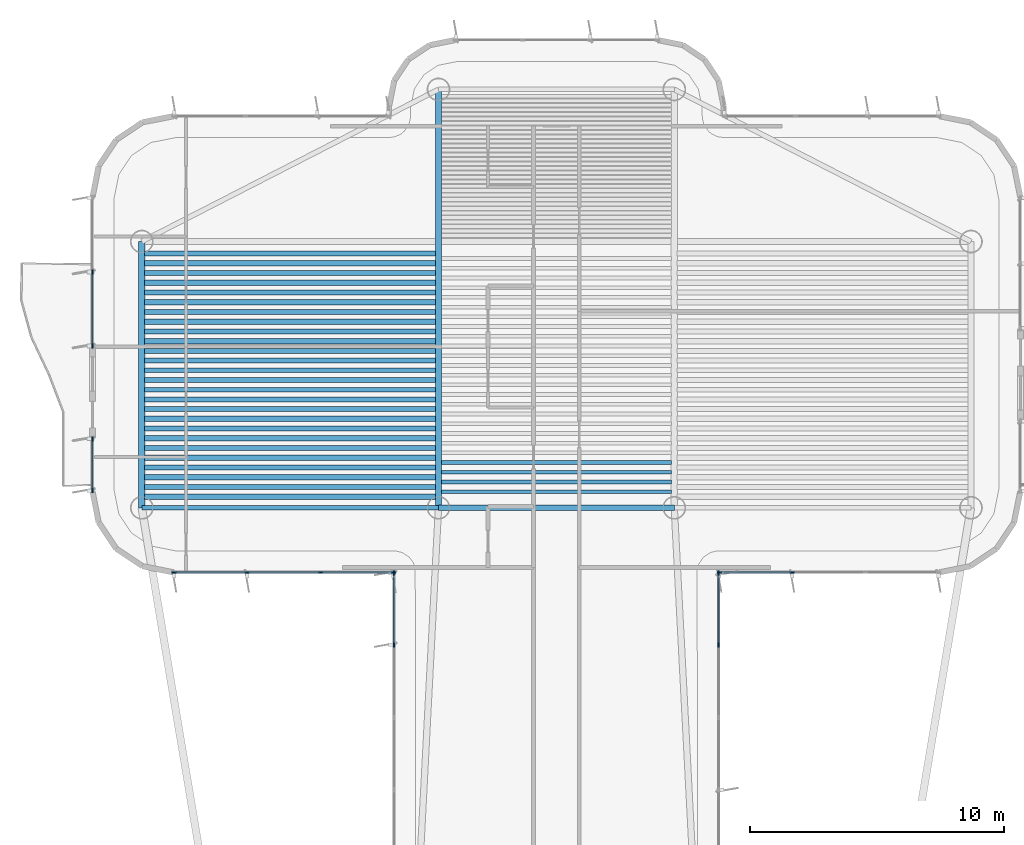
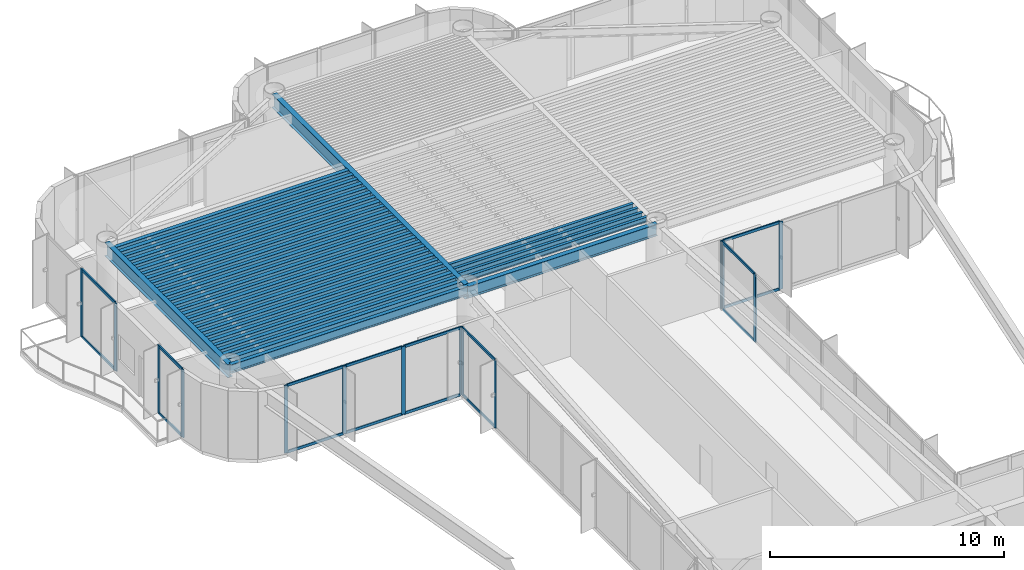
# One storey, part 5 of 15: 34 beams, 30 members, 6 elements without a shape of their own.
"""IFC4 building model written with IfcOpenShell, lengths in metres."""

from ifc_helpers import new_model, si_unit, direction, frame, origin, origin_2d, place, context, subcontext, project, spatial, rectangle, i_section, extrude, source, transform, mapped, material, layer, layer_set, material_profile, profile_set, type_object, element, aggregate, save


model = new_model("IFC4")

# Units and contexts
model_context = context("Model", 3, precision=1e-05, world=origin(), true_north=direction((0.0, 1.0)))
body_context = subcontext(model_context, "Body", "Model", "MODEL_VIEW")
ifc_project = project(units=[si_unit("LENGTHUNIT", "METRE"), si_unit("AREAUNIT", "SQUARE_METRE"), si_unit("VOLUMEUNIT", "CUBIC_METRE"), si_unit("PLANEANGLEUNIT", "RADIAN"), si_unit("MASSUNIT", "GRAM", prefix="KILO")], contexts=[model_context])

# Site, building, storey
site_placement = place(None, origin())
site = spatial("IfcSite", under=ifc_project, at=site_placement, CompositionType="ELEMENT")
building_placement = place(site_placement, origin())
building = spatial("IfcBuilding", under=site, at=building_placement, Name="Brelvock Crest Care Tower", CompositionType="ELEMENT")
storey_placement = place(building_placement, frame((0.0, 0.0, 279.719970703125)))
storey = spatial("IfcBuildingStorey", under=building, at=storey_placement, Name="L71", CompositionType="ELEMENT", Elevation=279.719970703125)

# Beams
ifc_material_1 = material(Name="Steel Grade 350", Category="steel")
ifc_material_profile_1 = material_profile(ifc_material_1, i_section(OverallWidth=0.25, OverallDepth=0.699951171875, WebThickness=0.011962890625, FlangeThickness=0.02001953125, at=origin_2d()), Name="700WB150")
ifc_profile_set_1 = profile_set([ifc_material_profile_1], Name="Steel Grade 350")
beam_type_1 = type_object("IfcBeamType", Name="BM-G4", PredefinedType="BEAM", material=ifc_profile_set_1)
shared_shape_1 = source(origin(), body_context, "Body", "SweptSolid", [
    extrude(i_section(OverallWidth=0.25, OverallDepth=0.699951171875, WebThickness=0.011962890625, FlangeThickness=0.02001953125, at=origin_2d()), origin(), (0.0, 0.0, 1.0), 10.5),
])
beam_1_placement = place(storey_placement, frame((19.64990234375, 43.949951171875, 3.179931640625), z_axis=(0.0, 1.0, 0.0), x_axis=(-1.0, 0.0, 0.0)))
element("IfcBeam", 1, at=beam_1_placement, inside=storey, type_object=beam_type_1, Name="BM-TWR-L71-01", PredefinedType="BEAM", context=body_context, shape_type="MappedRepresentation", body=[
    mapped(shared_shape_1, transform((0.0, 0.0, 0.0), x_axis=(1.0, 0.0, 0.0), y_axis=(0.0, 1.0, 0.0), z_axis=(0.0, 0.0, 1.0), scale=1.0)),
])
ifc_material_profile_2 = material_profile(ifc_material_1, i_section(OverallWidth=0.22900390625, OverallDepth=0.612060546875, WebThickness=0.011962890625, FlangeThickness=0.01953125, FilletRadius=0.013916015625, at=origin_2d()), Name="610UB125")
ifc_profile_set_2 = profile_set([ifc_material_profile_2], Name="Steel Grade 350")
beam_type_2 = type_object("IfcBeamType", Name="BM-G1", PredefinedType="BEAM", material=ifc_profile_set_2)
shared_shape_2 = source(origin(), body_context, "Body", "SweptSolid", [
    extrude(i_section(OverallWidth=0.22900390625, OverallDepth=0.612060546875, WebThickness=0.011962890625, FlangeThickness=0.01953125, FilletRadius=0.013916015625, at=origin_2d()), origin(), (0.0, 0.0, 1.0), 9.2998046875),
])
beam_2_placement = place(storey_placement, frame((31.35009765625, 43.949951171875, 3.22412109375), z_axis=(1.0, 0.0, 0.0), x_axis=(0.0, 1.0, 0.0)))
element("IfcBeam", 2, at=beam_2_placement, inside=storey, type_object=beam_type_2, Name="BM-TWR-L71-05", PredefinedType="BEAM", context=body_context, shape_type="MappedRepresentation", body=[
    mapped(shared_shape_2, transform((0.0, 0.0, 0.0), x_axis=(1.0, 0.0, 0.0), y_axis=(0.0, 1.0, 0.0), z_axis=(0.0, 0.0, 1.0), scale=1.0)),
])
ifc_material_profile_3 = material_profile(ifc_material_1, i_section(OverallWidth=0.14599609375, OverallDepth=0.256103515625, WebThickness=0.00634765625, FlangeThickness=0.010986328125, FilletRadius=0.0087890625, at=origin_2d()), Name="250UB37.3")
ifc_profile_set_3 = profile_set([ifc_material_profile_3], Name="Steel Grade 350")
beam_type_3 = type_object("IfcBeamType", Name="BM-J3", PredefinedType="JOIST", material=ifc_profile_set_3)
shared_shape_3 = source(origin(), body_context, "Body", "SweptSolid", [
    extrude(i_section(OverallWidth=0.14599609375, OverallDepth=0.256103515625, WebThickness=0.00634765625, FlangeThickness=0.010986328125, FilletRadius=0.0087890625, at=origin_2d()), origin(), (0.0, 0.0, 1.0), 9.06982421875),
])
for number, where, z_axis, x_axis, name in (
    (3, (31.465087890625, 44.58251953125, 3.402099609375), (1.0, 0.0, 0.0), (0.0, 1.0, 0.0), "BM-JH-L71-1"),
    (4, (31.465087890625, 44.9658203125, 3.402099609375), (1.0, 0.0, 0.0), (0.0, 1.0, 0.0), "BM-JH-L71-2"),
    (5, (31.465087890625, 45.34912109375, 3.402099609375), (1.0, 0.0, 0.0), (0.0, 1.0, 0.0), "BM-JH-L71-3"),
    (6, (31.465087890625, 45.732421875, 3.402099609375), (1.0, 0.0, 0.0), (0.0, 1.0, 0.0), "BM-JH-L71-4"),
):
    element("IfcBeam", number, at=place(storey_placement, frame(where, z_axis=z_axis, x_axis=x_axis)), inside=storey, type_object=beam_type_3, Name=name, PredefinedType="JOIST", context=body_context, shape_type="MappedRepresentation", body=[
        mapped(shared_shape_3, transform((0.0, 0.0, 0.0), x_axis=(1.0, 0.0, 0.0), y_axis=(0.0, 1.0, 0.0), z_axis=(0.0, 0.0, 1.0), scale=1.0)),
    ])
ifc_material_profile_4 = material_profile(ifc_material_1, i_section(OverallWidth=0.19091796875, OverallDepth=0.4599609375, WebThickness=0.010009765625, FlangeThickness=0.01611328125, FilletRadius=0.011474609375, at=origin_2d()), Name="460UB82.1")
ifc_profile_set_4 = profile_set([ifc_material_profile_4], Name="Steel Grade 350")
beam_type_4 = type_object("IfcBeamType", Name="BM-G3", PredefinedType="BEAM", material=ifc_profile_set_4)
shared_shape_4 = source(origin(), body_context, "Body", "SweptSolid", [
    extrude(i_section(OverallWidth=0.19091796875, OverallDepth=0.4599609375, WebThickness=0.010009765625, FlangeThickness=0.01611328125, FilletRadius=0.011474609375, at=origin_2d()), origin(), (0.0, 0.0, 1.0), 11.47021484375),
])
for number, where, z_axis, x_axis, name in (
    (7, (19.764892578125, 44.7744140625, 3.300048828125), (1.0, 0.0, 0.0), (0.0, 1.0, 0.0), "BM-JW-L71-2"),
    (8, (19.764892578125, 45.540771484375, 3.300048828125), (1.0, 0.0, 0.0), (0.0, 1.0, 0.0), "BM-JW-L71-4"),
    (9, (19.764892578125, 46.307373046875, 3.300048828125), (1.0, 0.0, 0.0), (0.0, 1.0, 0.0), "BM-JW-L71-6"),
    (10, (19.764892578125, 47.07373046875, 3.300048828125), (1.0, 0.0, 0.0), (0.0, 1.0, 0.0), "BM-JW-L71-8"),
    (11, (19.764892578125, 47.84033203125, 3.300048828125), (1.0, 0.0, 0.0), (0.0, 1.0, 0.0), "BM-JW-L71-10"),
    (12, (19.764892578125, 48.606689453125, 3.300048828125), (1.0, 0.0, 0.0), (0.0, 1.0, 0.0), "BM-JW-L71-12"),
    (13, (19.764892578125, 49.373291015625, 3.300048828125), (1.0, 0.0, 0.0), (0.0, 1.0, 0.0), "BM-JW-L71-14"),
    (14, (19.764892578125, 50.139892578125, 3.300048828125), (1.0, 0.0, 0.0), (0.0, 1.0, 0.0), "BM-JW-L71-16"),
    (15, (19.764892578125, 50.90625, 3.300048828125), (1.0, 0.0, 0.0), (0.0, 1.0, 0.0), "BM-JW-L71-18"),
    (16, (19.764892578125, 51.6728515625, 3.300048828125), (1.0, 0.0, 0.0), (0.0, 1.0, 0.0), "BM-JW-L71-20"),
    (17, (19.764892578125, 52.439208984375, 3.300048828125), (1.0, 0.0, 0.0), (0.0, 1.0, 0.0), "BM-JW-L71-22"),
    (18, (19.764892578125, 53.205810546875, 3.300048828125), (1.0, 0.0, 0.0), (0.0, 1.0, 0.0), "BM-JW-L71-24"),
    (19, (19.764892578125, 53.972412109375, 3.300048828125), (1.0, 0.0, 0.0), (0.0, 1.0, 0.0), "BM-JW-L71-26"),
):
    element("IfcBeam", number, at=place(storey_placement, frame(where, z_axis=z_axis, x_axis=x_axis)), inside=storey, type_object=beam_type_4, Name=name, PredefinedType="BEAM", context=body_context, shape_type="MappedRepresentation", body=[
        mapped(shared_shape_4, transform((0.0, 0.0, 0.0), x_axis=(1.0, 0.0, 0.0), y_axis=(0.0, 1.0, 0.0), z_axis=(0.0, 0.0, 1.0), scale=1.0)),
    ])
ifc_material_profile_5 = material_profile(ifc_material_1, i_section(OverallWidth=0.208984375, OverallDepth=0.532958984375, WebThickness=0.01025390625, FlangeThickness=0.015625, FilletRadius=0.013916015625, at=origin_2d()), Name="530UB92.4")
ifc_profile_set_5 = profile_set([ifc_material_profile_5], Name="Steel Grade 350")
beam_type_5 = type_object("IfcBeamType", Name="BM-G2", PredefinedType="BEAM", material=ifc_profile_set_5)
shared_shape_5 = source(origin(), body_context, "Body", "SweptSolid", [
    extrude(i_section(OverallWidth=0.208984375, OverallDepth=0.532958984375, WebThickness=0.01025390625, FlangeThickness=0.015625, FilletRadius=0.013916015625, at=origin_2d()), origin(), (0.0, 0.0, 1.0), 11.47021484375),
])
for number, where, z_axis, x_axis, name in (
    (20, (19.764892578125, 44.39111328125, 3.263427734375), (1.0, 0.0, 0.0), (0.0, 1.0, 0.0), "BM-JW-L71-1"),
    (21, (19.764892578125, 45.157470703125, 3.263427734375), (1.0, 0.0, 0.0), (0.0, 1.0, 0.0), "BM-JW-L71-3"),
    (22, (19.764892578125, 45.924072265625, 3.263427734375), (1.0, 0.0, 0.0), (0.0, 1.0, 0.0), "BM-JW-L71-5"),
    (23, (19.764892578125, 46.6904296875, 3.263427734375), (1.0, 0.0, 0.0), (0.0, 1.0, 0.0), "BM-JW-L71-7"),
    (24, (19.764892578125, 47.45703125, 3.263427734375), (1.0, 0.0, 0.0), (0.0, 1.0, 0.0), "BM-JW-L71-9"),
    (25, (19.764892578125, 48.223388671875, 3.263427734375), (1.0, 0.0, 0.0), (0.0, 1.0, 0.0), "BM-JW-L71-11"),
    (26, (19.764892578125, 48.989990234375, 3.263427734375), (1.0, 0.0, 0.0), (0.0, 1.0, 0.0), "BM-JW-L71-13"),
    (27, (19.764892578125, 49.756591796875, 3.263427734375), (1.0, 0.0, 0.0), (0.0, 1.0, 0.0), "BM-JW-L71-15"),
    (28, (19.764892578125, 50.52294921875, 3.263427734375), (1.0, 0.0, 0.0), (0.0, 1.0, 0.0), "BM-JW-L71-17"),
    (29, (19.764892578125, 51.28955078125, 3.263427734375), (1.0, 0.0, 0.0), (0.0, 1.0, 0.0), "BM-JW-L71-19"),
    (30, (19.764892578125, 52.055908203125, 3.263427734375), (1.0, 0.0, 0.0), (0.0, 1.0, 0.0), "BM-JW-L71-21"),
    (31, (19.764892578125, 52.822509765625, 3.263427734375), (1.0, 0.0, 0.0), (0.0, 1.0, 0.0), "BM-JW-L71-23"),
    (32, (19.764892578125, 53.589111328125, 3.263427734375), (1.0, 0.0, 0.0), (0.0, 1.0, 0.0), "BM-JW-L71-25"),
):
    element("IfcBeam", number, at=place(storey_placement, frame(where, z_axis=z_axis, x_axis=x_axis)), inside=storey, type_object=beam_type_5, Name=name, PredefinedType="BEAM", context=body_context, shape_type="MappedRepresentation", body=[
        mapped(shared_shape_5, transform((0.0, 0.0, 0.0), x_axis=(1.0, 0.0, 0.0), y_axis=(0.0, 1.0, 0.0), z_axis=(0.0, 0.0, 1.0), scale=1.0)),
    ])
ifc_material_profile_6 = material_profile(ifc_material_1, i_section(OverallWidth=0.19091796875, OverallDepth=0.4599609375, WebThickness=0.010009765625, FlangeThickness=0.01611328125, FilletRadius=0.011474609375, at=origin_2d()), Name="460UB82.1")
ifc_profile_set_6 = profile_set([ifc_material_profile_6], Name="Steel Grade 350")
beam_type_6 = type_object("IfcBeamType", Name="BM-SP2", PredefinedType="SPANDREL", material=ifc_profile_set_6)
shared_shape_6 = source(origin(), body_context, "Body", "SweptSolid", [
    extrude(i_section(OverallWidth=0.19091796875, OverallDepth=0.4599609375, WebThickness=0.010009765625, FlangeThickness=0.01611328125, FilletRadius=0.011474609375, at=origin_2d()), origin(), (0.0, 0.0, 1.0), 11.7001953125),
])
beam_3_placement = place(storey_placement, frame((19.64990234375, 43.949951171875, 3.300048828125), z_axis=(1.0, 0.0, 0.0), x_axis=(0.0, 1.0, 0.0)))
element("IfcBeam", 33, at=beam_3_placement, inside=storey, type_object=beam_type_6, Name="BM-TWR-L71-03", PredefinedType="SPANDREL", context=body_context, shape_type="MappedRepresentation", body=[
    mapped(shared_shape_6, transform((0.0, 0.0, 0.0), x_axis=(1.0, 0.0, 0.0), y_axis=(0.0, 1.0, 0.0), z_axis=(0.0, 0.0, 1.0), scale=1.0)),
])
shared_shape_7 = source(origin(), body_context, "Body", "SweptSolid", [
    extrude(i_section(OverallWidth=0.25, OverallDepth=0.699951171875, WebThickness=0.011962890625, FlangeThickness=0.02001953125, at=origin_2d()), origin(), (0.0, 0.0, 1.0), 16.5),
])
beam_4_placement = place(storey_placement, frame((31.35009765625, 43.949951171875, 3.179931640625), z_axis=(0.0, 1.0, 0.0), x_axis=(-1.0, 0.0, 0.0)))
element("IfcBeam", 34, at=beam_4_placement, inside=storey, type_object=beam_type_1, Name="BM-TWR-L71-09", PredefinedType="BEAM", context=body_context, shape_type="MappedRepresentation", body=[
    mapped(shared_shape_7, transform((0.0, 0.0, 0.0), x_axis=(1.0, 0.0, 0.0), y_axis=(0.0, 1.0, 0.0), z_axis=(0.0, 0.0, 1.0), scale=1.0)),
])

# Curtain wall, members
ifc_material_2 = material(Name="Dark Glass Double Glazed Low-E", Category="glass")
ifc_layer = layer(ifc_material_2, 0.239990234375, Name="CWS-5")
ifc_layer_set = layer_set([ifc_layer], Name="Dark Glass Double Glazed Low-E")
curtain_wall_type = type_object("IfcCurtainWallType", Name="CWS-5", PredefinedType="NOTDEFINED", material=ifc_layer_set)
curtain_wall_1_placement = place(storey_placement, origin())
curtain_wall_1 = element("IfcCurtainWall", 35, at=curtain_wall_1_placement, inside=storey, type_object=curtain_wall_type, Name="L71 Curtain Wall E11", PredefinedType="NOTDEFINED")
ifc_material_3 = material(Name="Aluminium 6063-T6", Category="aluminium")
ifc_material_profile_7 = material_profile(ifc_material_3, rectangle(XDim=0.06005859375, YDim=0.179931640625, at=origin_2d()), Name="ALU60x180")
ifc_profile_set_7 = profile_set([ifc_material_profile_7], Name="Aluminium 6063-T6")
member_type_1 = type_object("IfcMemberType", Name="CWM-2", PredefinedType="MULLION", material=ifc_profile_set_7)
shared_shape_8 = source(origin(), body_context, "Body", "SweptSolid", [
    extrude(rectangle(XDim=0.06005859375, YDim=0.179931640625, at=origin_2d()), origin(), (0.0, 0.0, 1.0), 3.530029296875),
])
member_1_placement = place(storey_placement, frame((29.60009765625, 38.54296875, 0.0), z_axis=(0.0, 0.0, 1.0), x_axis=(-1.0, 0.0, 0.0)))
member_1 = element("IfcMember", 36, at=member_1_placement, type_object=member_type_1, Name="CW-5 mullion 7", PredefinedType="MULLION", context=body_context, shape_type="MappedRepresentation", body=[
    mapped(shared_shape_8, transform((0.0, 0.0, 0.0), x_axis=(1.0, 0.0, 0.0), y_axis=(0.0, 1.0, 0.0), z_axis=(0.0, 0.0, 1.0), scale=1.0)),
])
member_2_placement = place(storey_placement, frame((29.60009765625, 41.3701171875, 0.0), z_axis=(0.0, 0.0, 1.0), x_axis=(-1.0, 0.0, 0.0)))
member_2 = element("IfcMember", 37, at=member_2_placement, type_object=member_type_1, Name="CW-5 mullion 8", PredefinedType="MULLION", context=body_context, shape_type="MappedRepresentation", body=[
    mapped(shared_shape_8, transform((0.0, 0.0, 0.0), x_axis=(1.0, 0.0, 0.0), y_axis=(0.0, 1.0, 0.0), z_axis=(0.0, 0.0, 1.0), scale=1.0)),
])

curtain_wall_2_placement = place(storey_placement, origin())
curtain_wall_2 = element("IfcCurtainWall", 38, at=curtain_wall_2_placement, inside=storey, type_object=curtain_wall_type, Name="L71 Curtain Wall E12", PredefinedType="NOTDEFINED")
member_3_placement = place(storey_placement, frame((29.570068359375, 41.39990234375, 0.0), z_axis=(0.0, 0.0, 1.0), x_axis=(0.0, -1.0, 0.0)))
member_3 = element("IfcMember", 39, at=member_3_placement, type_object=member_type_1, Name="CW-5 mullion 1", PredefinedType="MULLION", context=body_context, shape_type="MappedRepresentation", body=[
    mapped(shared_shape_8, transform((0.0, 0.0, 0.0), x_axis=(1.0, 0.0, 0.0), y_axis=(0.0, 1.0, 0.0), z_axis=(0.0, 0.0, 1.0), scale=1.0)),
])
member_4_placement = place(storey_placement, frame((26.699951171875, 41.39990234375, 0.0), z_axis=(0.0, 0.0, 1.0), x_axis=(0.0, -1.0, 0.0)))
member_4 = element("IfcMember", 40, at=member_4_placement, type_object=member_type_1, Name="CW-5 mullion 2", PredefinedType="MULLION", context=body_context, shape_type="MappedRepresentation", body=[
    mapped(shared_shape_8, transform((0.0, 0.0, 0.0), x_axis=(1.0, 0.0, 0.0), y_axis=(0.0, 1.0, 0.0), z_axis=(0.0, 0.0, 1.0), scale=1.0)),
])
member_5_placement = place(storey_placement, frame((23.800048828125, 41.39990234375, 0.0), z_axis=(0.0, 0.0, 1.0), x_axis=(0.0, -1.0, 0.0)))
member_5 = element("IfcMember", 41, at=member_5_placement, type_object=member_type_1, Name="CW-5 mullion 3", PredefinedType="MULLION", context=body_context, shape_type="MappedRepresentation", body=[
    mapped(shared_shape_8, transform((0.0, 0.0, 0.0), x_axis=(1.0, 0.0, 0.0), y_axis=(0.0, 1.0, 0.0), z_axis=(0.0, 0.0, 1.0), scale=1.0)),
])
member_6_placement = place(storey_placement, frame((20.929931640625, 41.39990234375, 0.0), z_axis=(0.0, 0.0, 1.0), x_axis=(0.0, -1.0, 0.0)))
member_6 = element("IfcMember", 42, at=member_6_placement, type_object=member_type_1, Name="CW-5 mullion 4", PredefinedType="MULLION", context=body_context, shape_type="MappedRepresentation", body=[
    mapped(shared_shape_8, transform((0.0, 0.0, 0.0), x_axis=(1.0, 0.0, 0.0), y_axis=(0.0, 1.0, 0.0), z_axis=(0.0, 0.0, 1.0), scale=1.0)),
])

curtain_wall_3_placement = place(storey_placement, origin())
curtain_wall_3 = element("IfcCurtainWall", 43, at=curtain_wall_3_placement, inside=storey, type_object=curtain_wall_type, Name="L71 Curtain Wall E17A", PredefinedType="NOTDEFINED")
member_7_placement = place(storey_placement, frame((17.699951171875, 44.6298828125, 0.0), z_axis=(0.0, 0.0, 1.0), x_axis=(-1.0, 0.0, 0.0)))
member_7 = element("IfcMember", 44, at=member_7_placement, type_object=member_type_1, Name="CW-5 mullion 1", PredefinedType="MULLION", context=body_context, shape_type="MappedRepresentation", body=[
    mapped(shared_shape_8, transform((0.0, 0.0, 0.0), x_axis=(1.0, 0.0, 0.0), y_axis=(0.0, 1.0, 0.0), z_axis=(0.0, 0.0, 1.0), scale=1.0)),
])
member_8_placement = place(storey_placement, frame((17.699951171875, 46.669921875, 0.0), z_axis=(0.0, 0.0, 1.0), x_axis=(-1.0, 0.0, 0.0)))
member_8 = element("IfcMember", 45, at=member_8_placement, type_object=member_type_1, Name="CW-5 mullion 2", PredefinedType="MULLION", context=body_context, shape_type="MappedRepresentation", body=[
    mapped(shared_shape_8, transform((0.0, 0.0, 0.0), x_axis=(1.0, 0.0, 0.0), y_axis=(0.0, 1.0, 0.0), z_axis=(0.0, 0.0, 1.0), scale=1.0)),
])

curtain_wall_4_placement = place(storey_placement, origin())
curtain_wall_4 = element("IfcCurtainWall", 46, at=curtain_wall_4_placement, inside=storey, type_object=curtain_wall_type, Name="L71 Curtain Wall E17B", PredefinedType="NOTDEFINED")
member_9_placement = place(storey_placement, frame((17.699951171875, 50.330078125, 0.0), z_axis=(0.0, 0.0, 1.0), x_axis=(-1.0, 0.0, 0.0)))
member_9 = element("IfcMember", 47, at=member_9_placement, type_object=member_type_1, Name="CW-5 mullion 1", PredefinedType="MULLION", context=body_context, shape_type="MappedRepresentation", body=[
    mapped(shared_shape_8, transform((0.0, 0.0, 0.0), x_axis=(1.0, 0.0, 0.0), y_axis=(0.0, 1.0, 0.0), z_axis=(0.0, 0.0, 1.0), scale=1.0)),
])
member_10_placement = place(storey_placement, frame((17.699951171875, 53.25, 0.0), z_axis=(0.0, 0.0, 1.0), x_axis=(-1.0, 0.0, 0.0)))
member_10 = element("IfcMember", 48, at=member_10_placement, type_object=member_type_1, Name="CW-5 mullion 2", PredefinedType="MULLION", context=body_context, shape_type="MappedRepresentation", body=[
    mapped(shared_shape_8, transform((0.0, 0.0, 0.0), x_axis=(1.0, 0.0, 0.0), y_axis=(0.0, 1.0, 0.0), z_axis=(0.0, 0.0, 1.0), scale=1.0)),
])

curtain_wall_5_placement = place(storey_placement, origin())
curtain_wall_5 = element("IfcCurtainWall", 49, at=curtain_wall_5_placement, inside=storey, type_object=curtain_wall_type, Name="L71 Curtain Wall E44", PredefinedType="NOTDEFINED")
member_11_placement = place(storey_placement, frame((45.300048828125, 41.39990234375, 0.0), z_axis=(0.0, 0.0, 1.0), x_axis=(0.0, -1.0, 0.0)))
member_11 = element("IfcMember", 50, at=member_11_placement, type_object=member_type_1, Name="CW-5 mullion 3", PredefinedType="MULLION", context=body_context, shape_type="MappedRepresentation", body=[
    mapped(shared_shape_8, transform((0.0, 0.0, 0.0), x_axis=(1.0, 0.0, 0.0), y_axis=(0.0, 1.0, 0.0), z_axis=(0.0, 0.0, 1.0), scale=1.0)),
])
member_12_placement = place(storey_placement, frame((42.429931640625, 41.39990234375, 0.0), z_axis=(0.0, 0.0, 1.0), x_axis=(0.0, -1.0, 0.0)))
member_12 = element("IfcMember", 51, at=member_12_placement, type_object=member_type_1, Name="CW-5 mullion 4", PredefinedType="MULLION", context=body_context, shape_type="MappedRepresentation", body=[
    mapped(shared_shape_8, transform((0.0, 0.0, 0.0), x_axis=(1.0, 0.0, 0.0), y_axis=(0.0, 1.0, 0.0), z_axis=(0.0, 0.0, 1.0), scale=1.0)),
])

curtain_wall_6_placement = place(storey_placement, origin())
curtain_wall_6 = element("IfcCurtainWall", 52, at=curtain_wall_6_placement, inside=storey, type_object=curtain_wall_type, Name="L71 Curtain Wall E45", PredefinedType="NOTDEFINED")
member_13_placement = place(storey_placement, frame((42.39990234375, 41.3701171875, 0.0), z_axis=(0.0, 0.0, 1.0), x_axis=(1.0, 0.0, 0.0)))
member_13 = element("IfcMember", 53, at=member_13_placement, type_object=member_type_1, Name="CW-5 mullion 1", PredefinedType="MULLION", context=body_context, shape_type="MappedRepresentation", body=[
    mapped(shared_shape_8, transform((0.0, 0.0, 0.0), x_axis=(1.0, 0.0, 0.0), y_axis=(0.0, 1.0, 0.0), z_axis=(0.0, 0.0, 1.0), scale=1.0)),
])
member_14_placement = place(storey_placement, frame((42.39990234375, 38.54296875, 0.0), z_axis=(0.0, 0.0, 1.0), x_axis=(1.0, 0.0, 0.0)))
member_14 = element("IfcMember", 54, at=member_14_placement, type_object=member_type_1, Name="CW-5 mullion 2", PredefinedType="MULLION", context=body_context, shape_type="MappedRepresentation", body=[
    mapped(shared_shape_8, transform((0.0, 0.0, 0.0), x_axis=(1.0, 0.0, 0.0), y_axis=(0.0, 1.0, 0.0), z_axis=(0.0, 0.0, 1.0), scale=1.0)),
])

# Member
ifc_material_profile_8 = material_profile(ifc_material_3, rectangle(XDim=0.06005859375, YDim=0.139892578125, at=origin_2d()), Name="ALU60x140")
ifc_profile_set_8 = profile_set([ifc_material_profile_8], Name="Aluminium 6063-T6")
member_type_2 = type_object("IfcMemberType", Name="CWT-2", PredefinedType="USERDEFINED", material=ifc_profile_set_8)
shared_shape_9 = source(origin(), body_context, "Body", "SweptSolid", [
    extrude(rectangle(XDim=0.06005859375, YDim=0.139892578125, at=origin_2d()), origin(), (0.0, 0.0, 1.0), 1.97998046875),
])
member_15_placement = place(storey_placement, frame((17.699951171875, 44.659912109375, 0.030029296875), z_axis=(0.0, 1.0, 0.0), x_axis=(-1.0, 0.0, 0.0)))
member_15 = element("IfcMember", 55, at=member_15_placement, type_object=member_type_2, Name="CW-5 transom 1.1", ObjectType="TRANSOM", PredefinedType="USERDEFINED", context=body_context, shape_type="MappedRepresentation", body=[
    mapped(shared_shape_9, transform((0.0, 0.0, 0.0), x_axis=(1.0, 0.0, 0.0), y_axis=(0.0, 1.0, 0.0), z_axis=(0.0, 0.0, 1.0), scale=1.0)),
])

member_16_placement = place(storey_placement, frame((17.699951171875, 44.659912109375, 3.5), z_axis=(0.0, 1.0, 0.0), x_axis=(-1.0, 0.0, 0.0)))
member_16 = element("IfcMember", 56, at=member_16_placement, type_object=member_type_2, Name="CW-5 transom 1.2", ObjectType="TRANSOM", PredefinedType="USERDEFINED", context=body_context, shape_type="MappedRepresentation", body=[
    mapped(shared_shape_9, transform((0.0, 0.0, 0.0), x_axis=(1.0, 0.0, 0.0), y_axis=(0.0, 1.0, 0.0), z_axis=(0.0, 0.0, 1.0), scale=1.0)),
])

aggregate(curtain_wall_3, [member_7, member_8, member_15, member_16])

shared_shape_10 = source(origin(), body_context, "Body", "SweptSolid", [
    extrude(rectangle(XDim=0.06005859375, YDim=0.139892578125, at=origin_2d()), origin(), (0.0, 0.0, 1.0), 2.767333984375),
])
member_17_placement = place(storey_placement, frame((29.60009765625, 38.57275390625, 0.030029296875), z_axis=(0.0, 1.0, 0.0), x_axis=(-1.0, 0.0, 0.0)))
member_17 = element("IfcMember", 57, at=member_17_placement, type_object=member_type_2, Name="CW-5 transom 7.1", ObjectType="TRANSOM", PredefinedType="USERDEFINED", context=body_context, shape_type="MappedRepresentation", body=[
    mapped(shared_shape_10, transform((0.0, 0.0, 0.0), x_axis=(1.0, 0.0, 0.0), y_axis=(0.0, 1.0, 0.0), z_axis=(0.0, 0.0, 1.0), scale=1.0)),
])

member_18_placement = place(storey_placement, frame((29.60009765625, 38.57275390625, 3.5), z_axis=(0.0, 1.0, 0.0), x_axis=(-1.0, 0.0, 0.0)))
member_18 = element("IfcMember", 58, at=member_18_placement, type_object=member_type_2, Name="CW-5 transom 7.2", ObjectType="TRANSOM", PredefinedType="USERDEFINED", context=body_context, shape_type="MappedRepresentation", body=[
    mapped(shared_shape_10, transform((0.0, 0.0, 0.0), x_axis=(1.0, 0.0, 0.0), y_axis=(0.0, 1.0, 0.0), z_axis=(0.0, 0.0, 1.0), scale=1.0)),
])

aggregate(curtain_wall_1, [member_1, member_2, member_17, member_18])

member_19_placement = place(storey_placement, frame((42.39990234375, 41.340087890625, 0.030029296875), z_axis=(0.0, -1.0, 0.0), x_axis=(1.0, 0.0, 0.0)))
member_19 = element("IfcMember", 59, at=member_19_placement, type_object=member_type_2, Name="CW-5 transom 1.1", ObjectType="TRANSOM", PredefinedType="USERDEFINED", context=body_context, shape_type="MappedRepresentation", body=[
    mapped(shared_shape_10, transform((0.0, 0.0, 0.0), x_axis=(1.0, 0.0, 0.0), y_axis=(0.0, 1.0, 0.0), z_axis=(0.0, 0.0, 1.0), scale=1.0)),
])

member_20_placement = place(storey_placement, frame((42.39990234375, 41.340087890625, 3.5), z_axis=(0.0, -1.0, 0.0), x_axis=(1.0, 0.0, 0.0)))
member_20 = element("IfcMember", 60, at=member_20_placement, type_object=member_type_2, Name="CW-5 transom 1.2", ObjectType="TRANSOM", PredefinedType="USERDEFINED", context=body_context, shape_type="MappedRepresentation", body=[
    mapped(shared_shape_10, transform((0.0, 0.0, 0.0), x_axis=(1.0, 0.0, 0.0), y_axis=(0.0, 1.0, 0.0), z_axis=(0.0, 0.0, 1.0), scale=1.0)),
])

aggregate(curtain_wall_6, [member_13, member_14, member_19, member_20])

shared_shape_11 = source(origin(), body_context, "Body", "SweptSolid", [
    extrude(rectangle(XDim=0.06005859375, YDim=0.139892578125, at=origin_2d()), origin(), (0.0, 0.0, 1.0), 2.81005859375),
])
member_21_placement = place(storey_placement, frame((29.5400390625, 41.39990234375, 0.030029296875), z_axis=(-1.0, 0.0, 0.0), x_axis=(0.0, -1.0, 0.0)))
member_21 = element("IfcMember", 61, at=member_21_placement, type_object=member_type_2, Name="CW-5 transom 1.1", ObjectType="TRANSOM", PredefinedType="USERDEFINED", context=body_context, shape_type="MappedRepresentation", body=[
    mapped(shared_shape_11, transform((0.0, 0.0, 0.0), x_axis=(1.0, 0.0, 0.0), y_axis=(0.0, 1.0, 0.0), z_axis=(0.0, 0.0, 1.0), scale=1.0)),
])

member_22_placement = place(storey_placement, frame((29.5400390625, 41.39990234375, 3.5), z_axis=(-1.0, 0.0, 0.0), x_axis=(0.0, -1.0, 0.0)))
member_22 = element("IfcMember", 62, at=member_22_placement, type_object=member_type_2, Name="CW-5 transom 1.2", ObjectType="TRANSOM", PredefinedType="USERDEFINED", context=body_context, shape_type="MappedRepresentation", body=[
    mapped(shared_shape_11, transform((0.0, 0.0, 0.0), x_axis=(1.0, 0.0, 0.0), y_axis=(0.0, 1.0, 0.0), z_axis=(0.0, 0.0, 1.0), scale=1.0)),
])

member_23_placement = place(storey_placement, frame((23.77001953125, 41.39990234375, 0.030029296875), z_axis=(-1.0, 0.0, 0.0), x_axis=(0.0, -1.0, 0.0)))
member_23 = element("IfcMember", 63, at=member_23_placement, type_object=member_type_2, Name="CW-5 transom 3.1", ObjectType="TRANSOM", PredefinedType="USERDEFINED", context=body_context, shape_type="MappedRepresentation", body=[
    mapped(shared_shape_11, transform((0.0, 0.0, 0.0), x_axis=(1.0, 0.0, 0.0), y_axis=(0.0, 1.0, 0.0), z_axis=(0.0, 0.0, 1.0), scale=1.0)),
])

member_24_placement = place(storey_placement, frame((23.77001953125, 41.39990234375, 3.5), z_axis=(-1.0, 0.0, 0.0), x_axis=(0.0, -1.0, 0.0)))
member_24 = element("IfcMember", 64, at=member_24_placement, type_object=member_type_2, Name="CW-5 transom 3.2", ObjectType="TRANSOM", PredefinedType="USERDEFINED", context=body_context, shape_type="MappedRepresentation", body=[
    mapped(shared_shape_11, transform((0.0, 0.0, 0.0), x_axis=(1.0, 0.0, 0.0), y_axis=(0.0, 1.0, 0.0), z_axis=(0.0, 0.0, 1.0), scale=1.0)),
])

member_25_placement = place(storey_placement, frame((45.27001953125, 41.39990234375, 0.030029296875), z_axis=(-1.0, 0.0, 0.0), x_axis=(0.0, -1.0, 0.0)))
member_25 = element("IfcMember", 65, at=member_25_placement, type_object=member_type_2, Name="CW-5 transom 3.1", ObjectType="TRANSOM", PredefinedType="USERDEFINED", context=body_context, shape_type="MappedRepresentation", body=[
    mapped(shared_shape_11, transform((0.0, 0.0, 0.0), x_axis=(1.0, 0.0, 0.0), y_axis=(0.0, 1.0, 0.0), z_axis=(0.0, 0.0, 1.0), scale=1.0)),
])

member_26_placement = place(storey_placement, frame((45.27001953125, 41.39990234375, 3.5), z_axis=(-1.0, 0.0, 0.0), x_axis=(0.0, -1.0, 0.0)))
member_26 = element("IfcMember", 66, at=member_26_placement, type_object=member_type_2, Name="CW-5 transom 3.2", ObjectType="TRANSOM", PredefinedType="USERDEFINED", context=body_context, shape_type="MappedRepresentation", body=[
    mapped(shared_shape_11, transform((0.0, 0.0, 0.0), x_axis=(1.0, 0.0, 0.0), y_axis=(0.0, 1.0, 0.0), z_axis=(0.0, 0.0, 1.0), scale=1.0)),
])

aggregate(curtain_wall_5, [member_11, member_12, member_25, member_26])

shared_shape_12 = source(origin(), body_context, "Body", "SweptSolid", [
    extrude(rectangle(XDim=0.06005859375, YDim=0.139892578125, at=origin_2d()), origin(), (0.0, 0.0, 1.0), 2.83984375),
])
member_27_placement = place(storey_placement, frame((26.669921875, 41.39990234375, 0.030029296875), z_axis=(-1.0, 0.0, 0.0), x_axis=(0.0, -1.0, 0.0)))
member_27 = element("IfcMember", 67, at=member_27_placement, type_object=member_type_2, Name="CW-5 transom 2.1", ObjectType="TRANSOM", PredefinedType="USERDEFINED", context=body_context, shape_type="MappedRepresentation", body=[
    mapped(shared_shape_12, transform((0.0, 0.0, 0.0), x_axis=(1.0, 0.0, 0.0), y_axis=(0.0, 1.0, 0.0), z_axis=(0.0, 0.0, 1.0), scale=1.0)),
])

member_28_placement = place(storey_placement, frame((26.669921875, 41.39990234375, 3.5), z_axis=(-1.0, 0.0, 0.0), x_axis=(0.0, -1.0, 0.0)))
member_28 = element("IfcMember", 68, at=member_28_placement, type_object=member_type_2, Name="CW-5 transom 2.2", ObjectType="TRANSOM", PredefinedType="USERDEFINED", context=body_context, shape_type="MappedRepresentation", body=[
    mapped(shared_shape_12, transform((0.0, 0.0, 0.0), x_axis=(1.0, 0.0, 0.0), y_axis=(0.0, 1.0, 0.0), z_axis=(0.0, 0.0, 1.0), scale=1.0)),
])

aggregate(curtain_wall_2, [member_3, member_4, member_5, member_6, member_21, member_22, member_27, member_28, member_23, member_24])

shared_shape_13 = source(origin(), body_context, "Body", "SweptSolid", [
    extrude(rectangle(XDim=0.06005859375, YDim=0.139892578125, at=origin_2d()), origin(), (0.0, 0.0, 1.0), 2.85986328125),
])
member_29_placement = place(storey_placement, frame((17.699951171875, 50.360107421875, 0.030029296875), z_axis=(0.0, 1.0, 0.0), x_axis=(-1.0, 0.0, 0.0)))
member_29 = element("IfcMember", 69, at=member_29_placement, type_object=member_type_2, Name="CW-5 transom 1.1", ObjectType="TRANSOM", PredefinedType="USERDEFINED", context=body_context, shape_type="MappedRepresentation", body=[
    mapped(shared_shape_13, transform((0.0, 0.0, 0.0), x_axis=(1.0, 0.0, 0.0), y_axis=(0.0, 1.0, 0.0), z_axis=(0.0, 0.0, 1.0), scale=1.0)),
])

member_30_placement = place(storey_placement, frame((17.699951171875, 50.360107421875, 3.5), z_axis=(0.0, 1.0, 0.0), x_axis=(-1.0, 0.0, 0.0)))
member_30 = element("IfcMember", 70, at=member_30_placement, type_object=member_type_2, Name="CW-5 transom 1.2", ObjectType="TRANSOM", PredefinedType="USERDEFINED", context=body_context, shape_type="MappedRepresentation", body=[
    mapped(shared_shape_13, transform((0.0, 0.0, 0.0), x_axis=(1.0, 0.0, 0.0), y_axis=(0.0, 1.0, 0.0), z_axis=(0.0, 0.0, 1.0), scale=1.0)),
])

aggregate(curtain_wall_4, [member_9, member_10, member_29, member_30])

save(model, "model.ifc")
